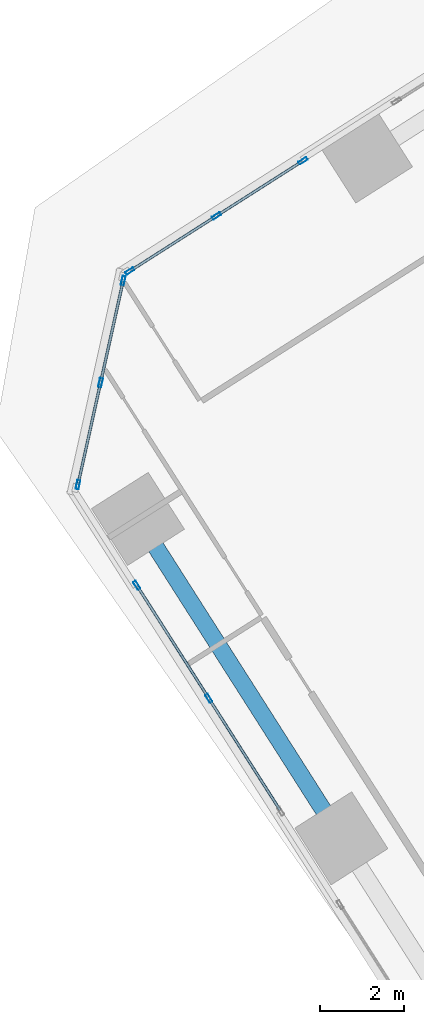
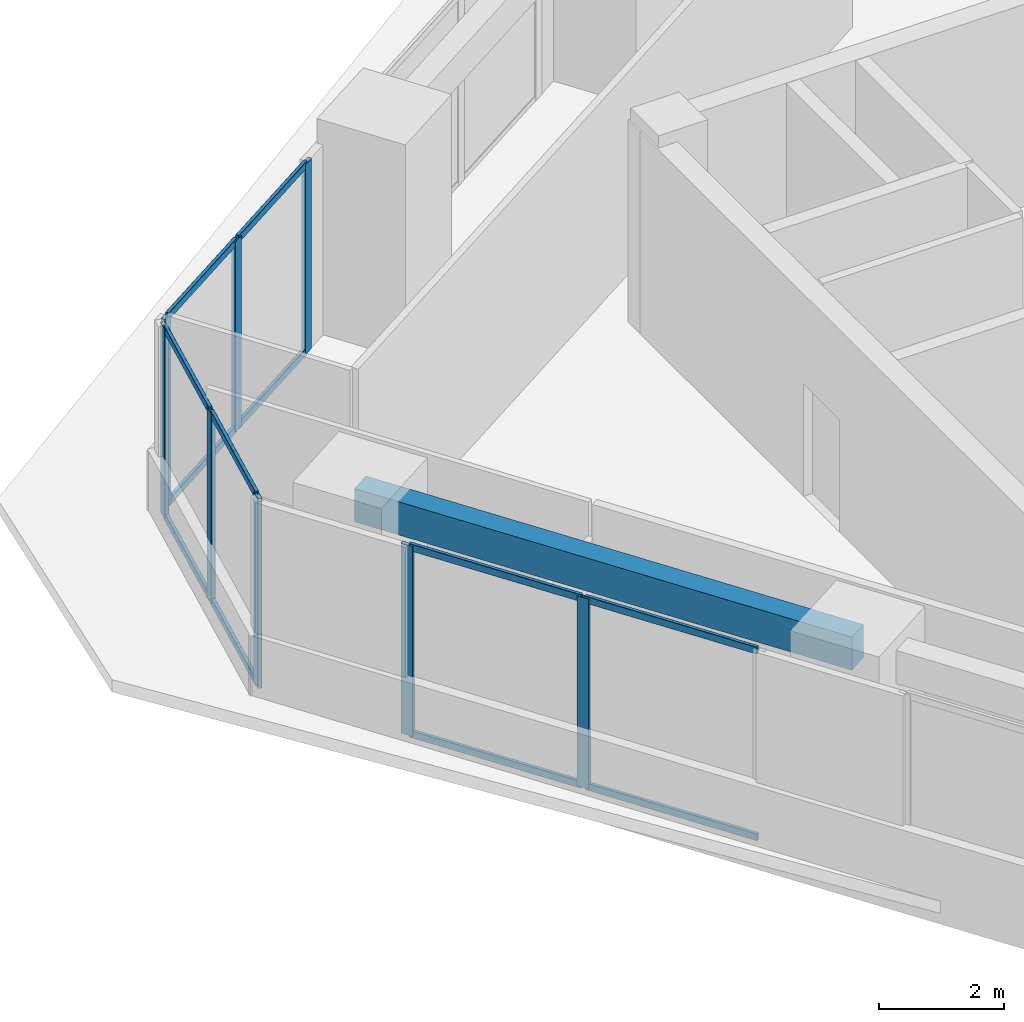
# One storey, part 4 of 15: 20 members, 1 beam, 3 elements without a shape of their own.
"""IFC4 building model written with IfcOpenShell, lengths in metres."""

from ifc_helpers import new_model, si_unit, direction, frame, origin, origin_2d, place, context, subcontext, project, spatial, rectangle, hollow_rectangle, extrude, source, transform, mapped, material, material_profile, profile_set, type_object, element, aggregate, save


model = new_model("IFC4")

# Units and contexts
model_context = context("Model", 3, precision=1e-05, world=origin(), true_north=direction((0.0, 1.0)))
body_context = subcontext(model_context, "Body", "Model", "MODEL_VIEW")
ifc_project = project(units=[si_unit("LENGTHUNIT", "METRE"), si_unit("AREAUNIT", "SQUARE_METRE"), si_unit("VOLUMEUNIT", "CUBIC_METRE"), si_unit("PLANEANGLEUNIT", "RADIAN"), si_unit("MASSUNIT", "GRAM", prefix="KILO")], contexts=[model_context])

# Site, building, storey
site_placement = place(None, origin())
site = spatial("IfcSite", under=ifc_project, at=site_placement, CompositionType="ELEMENT")
building_placement = place(site_placement, origin())
building = spatial("IfcBuilding", under=site, at=building_placement, Name="Torre Montelarca", CompositionType="ELEMENT")
storey_placement = place(building_placement, frame((0.0, 0.0, 307.199951171875)))
storey = spatial("IfcBuildingStorey", under=building, at=storey_placement, Name="L69", CompositionType="ELEMENT", Elevation=307.199951171875)

# Beam
ifc_material_1 = material(Name="Concrete C40/50", Category="concrete")
ifc_material_profile_1 = material_profile(ifc_material_1, rectangle(XDim=0.39990234375, YDim=0.64990234375, at=origin_2d()), Name="RCB400X650", Category="concrete")
ifc_profile_set_1 = profile_set([ifc_material_profile_1], Name="Concrete C40/50")
beam_type = type_object("IfcBeamType", Name="BM-SP-RC650-EXT", PredefinedType="SPANDREL", material=ifc_profile_set_1)
shared_shape_1 = source(origin(), body_context, "Body", "SweptSolid", [
    extrude(rectangle(XDim=0.39990234375, YDim=0.64990234375, at=origin_2d()), origin(), (0.0, 0.0, 1.0), 9.0),
])
beam_placement = place(storey_placement, frame((0.27734375, 33.30078125, 3.635009765625), z_axis=(0.5372966855, -0.843393307865, 0.0), x_axis=(0.843393307865, 0.5372966855, 0.0)))
element("IfcBeam", 1, at=beam_placement, inside=storey, type_object=beam_type, Name="L69 Grid Girder X 9.0-18.0 at Y=14.8", PredefinedType="SPANDREL", context=body_context, shape_type="MappedRepresentation", body=[
    mapped(shared_shape_1, transform((0.0, 0.0, 0.0), scale=1.0)),
])

# Curtain wall, members
ifc_material_2 = material(Name="Insulated low-E laminated glass", Category="glass")
curtain_wall_type = type_object("IfcCurtainWallType", Name="CW-SYS-Z4", PredefinedType="USERDEFINED", material=ifc_material_2)
curtain_wall_1_placement = place(storey_placement, origin())
curtain_wall_1 = element("IfcCurtainWall", 2, at=curtain_wall_1_placement, inside=storey, type_object=curtain_wall_type, Name="L69 Curtain Wall Run CW-T3-L69-E01-B1", ObjectType="UNITISED GLAZING", PredefinedType="USERDEFINED")
ifc_material_3 = material(Name="Anodised aluminium AA 6063-T6", Category="aluminium")
ifc_material_profile_2 = material_profile(ifc_material_3, hollow_rectangle(XDim=0.074951171875, YDim=0.219970703125, WallThickness=0.0048828125, InnerFilletRadius=0.0048828125, OuterFilletRadius=0.010009765625, at=origin_2d()), Name="ALU75X220X5", Category="aluminium")
ifc_profile_set_2 = profile_set([ifc_material_profile_2], Name="Anodised aluminium AA 6063-T6")
member_type_1 = type_object("IfcMemberType", Name="CWM-ALU220", PredefinedType="MULLION", material=ifc_profile_set_2)
shared_shape_2 = source(origin(), body_context, "Body", "SweptSolid", [
    extrude(hollow_rectangle(XDim=0.074951171875, YDim=0.219970703125, WallThickness=0.0048828125, InnerFilletRadius=0.0048828125, OuterFilletRadius=0.010009765625, at=origin_2d()), origin(), (0.0, 0.0, 1.0), 3.719970703125),
])
member_1_placement = place(storey_placement, frame((0.25146484375, 31.72216796875, 0.0), z_axis=(0.0, 0.0, 1.0), x_axis=(0.843390278763, 0.537301440244, 0.0)))
member_1 = element("IfcMember", 3, at=member_1_placement, type_object=member_type_1, Name="CW mullion 1", PredefinedType="MULLION", context=body_context, shape_type="MappedRepresentation", body=[
    mapped(shared_shape_2, transform((0.0, 0.0, 0.0), scale=1.0)),
])
member_2_placement = place(storey_placement, frame((1.96142578125, 29.0380859375, 0.0), z_axis=(0.0, 0.0, 1.0), x_axis=(0.843390278763, 0.537301440244, 0.0)))
member_2 = element("IfcMember", 4, at=member_2_placement, type_object=member_type_1, Name="CW mullion 2", PredefinedType="MULLION", context=body_context, shape_type="MappedRepresentation", body=[
    mapped(shared_shape_2, transform((0.0, 0.0, 0.0), scale=1.0)),
])

curtain_wall_2_placement = place(storey_placement, origin())
curtain_wall_2 = element("IfcCurtainWall", 5, at=curtain_wall_2_placement, inside=storey, type_object=curtain_wall_type, Name="L69 Curtain Wall Run CW-T3-L69-E10-B3", ObjectType="UNITISED GLAZING", PredefinedType="USERDEFINED")
member_3_placement = place(storey_placement, frame((4.201416015625, 41.81201171875, 0.0), z_axis=(0.0, 0.0, 1.0), x_axis=(0.537303819367, -0.843388763083, 0.0)))
member_3 = element("IfcMember", 6, at=member_3_placement, type_object=member_type_1, Name="CW mullion 1", PredefinedType="MULLION", context=body_context, shape_type="MappedRepresentation", body=[
    mapped(shared_shape_2, transform((0.0, 0.0, 0.0), scale=1.0)),
])
member_4_placement = place(storey_placement, frame((2.143798828125, 40.501220703125, 0.0), z_axis=(0.0, 0.0, 1.0), x_axis=(0.537303819367, -0.843388763083, 0.0)))
member_4 = element("IfcMember", 7, at=member_4_placement, type_object=member_type_1, Name="CW mullion 2", PredefinedType="MULLION", context=body_context, shape_type="MappedRepresentation", body=[
    mapped(shared_shape_2, transform((0.0, 0.0, 0.0), scale=1.0)),
])
member_5_placement = place(storey_placement, frame((0.08642578125, 39.1904296875, 0.0), z_axis=(0.0, 0.0, 1.0), x_axis=(0.537303819367, -0.843388763083, 0.0)))
member_5 = element("IfcMember", 8, at=member_5_placement, type_object=member_type_1, Name="CW mullion 3", PredefinedType="MULLION", context=body_context, shape_type="MappedRepresentation", body=[
    mapped(shared_shape_2, transform((0.0, 0.0, 0.0), scale=1.0)),
])

curtain_wall_3_placement = place(storey_placement, origin())
curtain_wall_3 = element("IfcCurtainWall", 9, at=curtain_wall_3_placement, inside=storey, type_object=curtain_wall_type, Name="L69 Curtain Wall Run CW-T3-L69-E11-B1", ObjectType="UNITISED GLAZING", PredefinedType="USERDEFINED")
member_6_placement = place(storey_placement, frame((-0.072021484375, 38.96435546875, 0.0), z_axis=(0.0, 0.0, 1.0), x_axis=(0.976291005572, -0.216462173228, 0.0)))
member_6 = element("IfcMember", 10, at=member_6_placement, type_object=member_type_1, Name="CW mullion 1", PredefinedType="MULLION", context=body_context, shape_type="MappedRepresentation", body=[
    mapped(shared_shape_2, transform((0.0, 0.0, 0.0), scale=1.0)),
])
member_7_placement = place(storey_placement, frame((-0.609619140625, 36.53955078125, 0.0), z_axis=(0.0, 0.0, 1.0), x_axis=(0.976291005572, -0.216462173228, 0.0)))
member_7 = element("IfcMember", 11, at=member_7_placement, type_object=member_type_1, Name="CW mullion 2", PredefinedType="MULLION", context=body_context, shape_type="MappedRepresentation", body=[
    mapped(shared_shape_2, transform((0.0, 0.0, 0.0), scale=1.0)),
])
member_8_placement = place(storey_placement, frame((-1.147216796875, 34.114501953125, 0.0), z_axis=(0.0, 0.0, 1.0), x_axis=(0.976291005572, -0.216462173228, 0.0)))
member_8 = element("IfcMember", 12, at=member_8_placement, type_object=member_type_1, Name="CW mullion 3", PredefinedType="MULLION", context=body_context, shape_type="MappedRepresentation", body=[
    mapped(shared_shape_2, transform((0.0, 0.0, 0.0), scale=1.0)),
])
ifc_material_profile_3 = material_profile(ifc_material_3, hollow_rectangle(XDim=0.06494140625, YDim=0.139892578125, WallThickness=0.00390625, InnerFilletRadius=0.00390625, OuterFilletRadius=0.008056640625, at=origin_2d()), Name="ALU65X140X4", Category="aluminium")
ifc_profile_set_3 = profile_set([ifc_material_profile_3], Name="Anodised aluminium AA 6063-T6")
member_type_2 = type_object("IfcMemberType", Name="CWT-ALU140", PredefinedType="USERDEFINED", material=ifc_profile_set_3)
shared_shape_3 = source(origin(), body_context, "Body", "SweptSolid", [
    extrude(hollow_rectangle(XDim=0.06494140625, YDim=0.139892578125, WallThickness=0.00390625, InnerFilletRadius=0.00390625, OuterFilletRadius=0.008056640625, at=origin_2d()), origin(), (0.0, 0.0, 1.0), 2.40869140625),
])
member_9_placement = place(storey_placement, frame((-0.080078125, 38.927734375, 0.032470703125), z_axis=(-0.216501154976, -0.976282361765, 0.0), x_axis=(0.976282361765, -0.216501154976, 0.0)))
member_9 = element("IfcMember", 13, at=member_9_placement, type_object=member_type_2, Name="CW transom 1.1", ObjectType="TRANSOM", PredefinedType="USERDEFINED", context=body_context, shape_type="MappedRepresentation", body=[
    mapped(shared_shape_3, transform((0.0, 0.0, 0.0), scale=1.0)),
])
member_10_placement = place(storey_placement, frame((-0.080078125, 38.927734375, 3.6875), z_axis=(-0.216501154976, -0.976282361765, 0.0), x_axis=(0.976282361765, -0.216501154976, 0.0)))
member_10 = element("IfcMember", 14, at=member_10_placement, type_object=member_type_2, Name="CW transom 1.2", ObjectType="TRANSOM", PredefinedType="USERDEFINED", context=body_context, shape_type="MappedRepresentation", body=[
    mapped(shared_shape_3, transform((0.0, 0.0, 0.0), scale=1.0)),
])

# Member
shared_shape_4 = source(origin(), body_context, "Body", "SweptSolid", [
    extrude(hollow_rectangle(XDim=0.06494140625, YDim=0.139892578125, WallThickness=0.00390625, InnerFilletRadius=0.00390625, OuterFilletRadius=0.008056640625, at=origin_2d()), origin(), (0.0, 0.0, 1.0), 3.107421875),
])
member_11_placement = place(storey_placement, frame((0.271728515625, 31.6904296875, 0.032470703125), z_axis=(0.537338048241, -0.843366955668, 0.0), x_axis=(0.843366955668, 0.537338048241, 0.0)))
member_11 = element("IfcMember", 15, at=member_11_placement, type_object=member_type_2, Name="CW transom 1.1", ObjectType="TRANSOM", PredefinedType="USERDEFINED", context=body_context, shape_type="MappedRepresentation", body=[
    mapped(shared_shape_4, transform((0.0, 0.0, 0.0), scale=1.0)),
])

member_12_placement = place(storey_placement, frame((0.271728515625, 31.6904296875, 3.6875), z_axis=(0.537338048241, -0.843366955668, 0.0), x_axis=(0.843366955668, 0.537338048241, 0.0)))
member_12 = element("IfcMember", 16, at=member_12_placement, type_object=member_type_2, Name="CW transom 1.2", ObjectType="TRANSOM", PredefinedType="USERDEFINED", context=body_context, shape_type="MappedRepresentation", body=[
    mapped(shared_shape_4, transform((0.0, 0.0, 0.0), scale=1.0)),
])

member_13_placement = place(storey_placement, frame((1.981689453125, 29.006591796875, 0.032470703125), z_axis=(0.537302444451, -0.843389639009, 0.0), x_axis=(0.843389639009, 0.537302444451, 0.0)))
member_13 = element("IfcMember", 17, at=member_13_placement, type_object=member_type_2, Name="CW transom 2.1", ObjectType="TRANSOM", PredefinedType="USERDEFINED", context=body_context, shape_type="MappedRepresentation", body=[
    mapped(shared_shape_4, transform((0.0, 0.0, 0.0), scale=1.0)),
])

member_14_placement = place(storey_placement, frame((1.981689453125, 29.006591796875, 3.6875), z_axis=(0.537302444451, -0.843389639009, 0.0), x_axis=(0.843389639009, 0.537302444451, 0.0)))
member_14 = element("IfcMember", 18, at=member_14_placement, type_object=member_type_2, Name="CW transom 2.2", ObjectType="TRANSOM", PredefinedType="USERDEFINED", context=body_context, shape_type="MappedRepresentation", body=[
    mapped(shared_shape_4, transform((0.0, 0.0, 0.0), scale=1.0)),
])

aggregate(curtain_wall_1, [member_1, member_2, member_11, member_12, member_13, member_14])

shared_shape_5 = source(origin(), body_context, "Body", "SweptSolid", [
    extrude(hollow_rectangle(XDim=0.06494140625, YDim=0.139892578125, WallThickness=0.00390625, InnerFilletRadius=0.00390625, OuterFilletRadius=0.008056640625, at=origin_2d()), origin(), (0.0, 0.0, 1.0), 2.408935546875),
])
member_15_placement = place(storey_placement, frame((-0.61767578125, 36.5029296875, 0.032470703125), z_axis=(-0.216479733336, -0.976287111999, 0.0), x_axis=(0.976287111999, -0.216479733336, 0.0)))
member_15 = element("IfcMember", 19, at=member_15_placement, type_object=member_type_2, Name="CW transom 2.1", ObjectType="TRANSOM", PredefinedType="USERDEFINED", context=body_context, shape_type="MappedRepresentation", body=[
    mapped(shared_shape_5, transform((0.0, 0.0, 0.0), scale=1.0)),
])

member_16_placement = place(storey_placement, frame((-0.61767578125, 36.5029296875, 3.6875), z_axis=(-0.216479733336, -0.976287111999, 0.0), x_axis=(0.976287111999, -0.216479733336, 0.0)))
member_16 = element("IfcMember", 20, at=member_16_placement, type_object=member_type_2, Name="CW transom 2.2", ObjectType="TRANSOM", PredefinedType="USERDEFINED", context=body_context, shape_type="MappedRepresentation", body=[
    mapped(shared_shape_5, transform((0.0, 0.0, 0.0), scale=1.0)),
])

aggregate(curtain_wall_3, [member_6, member_7, member_8, member_9, member_10, member_15, member_16])

shared_shape_6 = source(origin(), body_context, "Body", "SweptSolid", [
    extrude(hollow_rectangle(XDim=0.06494140625, YDim=0.139892578125, WallThickness=0.00390625, InnerFilletRadius=0.00390625, OuterFilletRadius=0.008056640625, at=origin_2d()), origin(), (0.0, 0.0, 1.0), 2.364501953125),
])
member_17_placement = place(storey_placement, frame((4.169677734375, 41.7919921875, 0.032470703125), z_axis=(-0.843372256407, -0.537329728494, 0.0), x_axis=(0.537329728494, -0.843372256407, 0.0)))
member_17 = element("IfcMember", 21, at=member_17_placement, type_object=member_type_2, Name="CW transom 1.1", ObjectType="TRANSOM", PredefinedType="USERDEFINED", context=body_context, shape_type="MappedRepresentation", body=[
    mapped(shared_shape_6, transform((0.0, 0.0, 0.0), scale=1.0)),
])

member_18_placement = place(storey_placement, frame((4.169677734375, 41.7919921875, 3.6875), z_axis=(-0.843372256407, -0.537329728494, 0.0), x_axis=(0.537329728494, -0.843372256407, 0.0)))
member_18 = element("IfcMember", 22, at=member_18_placement, type_object=member_type_2, Name="CW transom 1.2", ObjectType="TRANSOM", PredefinedType="USERDEFINED", context=body_context, shape_type="MappedRepresentation", body=[
    mapped(shared_shape_6, transform((0.0, 0.0, 0.0), scale=1.0)),
])

shared_shape_7 = source(origin(), body_context, "Body", "SweptSolid", [
    extrude(hollow_rectangle(XDim=0.06494140625, YDim=0.139892578125, WallThickness=0.00390625, InnerFilletRadius=0.00390625, OuterFilletRadius=0.008056640625, at=origin_2d()), origin(), (0.0, 0.0, 1.0), 2.36474609375),
])
member_19_placement = place(storey_placement, frame((2.1123046875, 40.481201171875, 0.032470703125), z_axis=(-0.843402064115, -0.537282940587, 0.0), x_axis=(0.537282940587, -0.843402064115, 0.0)))
member_19 = element("IfcMember", 23, at=member_19_placement, type_object=member_type_2, Name="CW transom 2.1", ObjectType="TRANSOM", PredefinedType="USERDEFINED", context=body_context, shape_type="MappedRepresentation", body=[
    mapped(shared_shape_7, transform((0.0, 0.0, 0.0), scale=1.0)),
])

member_20_placement = place(storey_placement, frame((2.1123046875, 40.481201171875, 3.6875), z_axis=(-0.843402064115, -0.537282940587, 0.0), x_axis=(0.537282940587, -0.843402064115, 0.0)))
member_20 = element("IfcMember", 24, at=member_20_placement, type_object=member_type_2, Name="CW transom 2.2", ObjectType="TRANSOM", PredefinedType="USERDEFINED", context=body_context, shape_type="MappedRepresentation", body=[
    mapped(shared_shape_7, transform((0.0, 0.0, 0.0), scale=1.0)),
])

aggregate(curtain_wall_2, [member_3, member_4, member_5, member_17, member_18, member_19, member_20])

save(model, "model.ifc")
